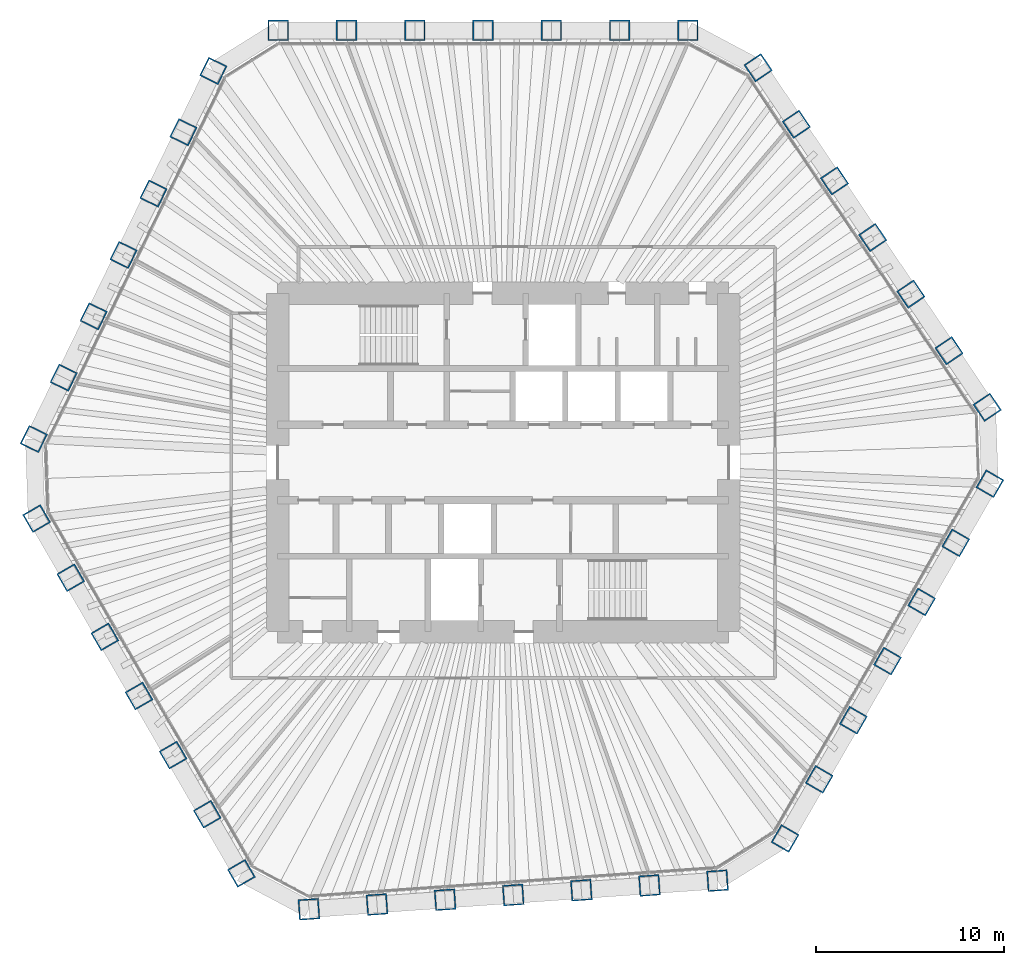
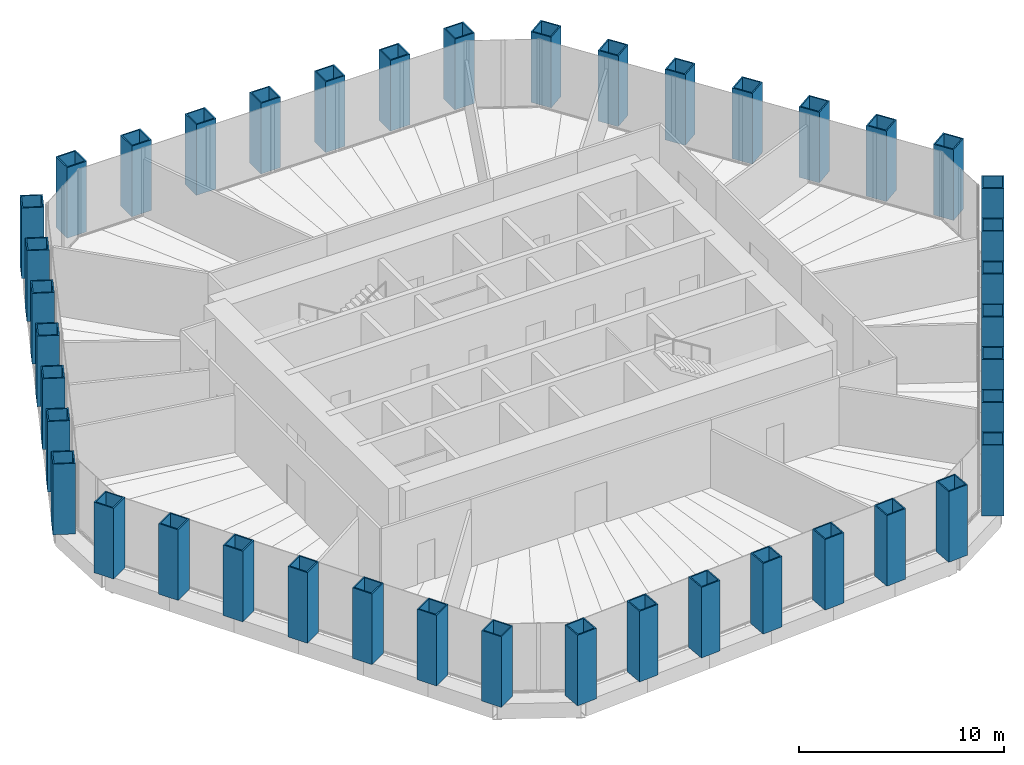
# One storey, part 1 of 13: 42 columns.
"""IFC4 building model written with IfcOpenShell, lengths in metres."""

from ifc_helpers import new_model, si_unit, direction, frame, origin, origin_2d, place, context, subcontext, project, spatial, hollow_rectangle, extrude, material, material_profile, profile_set, type_object, element, save


model = new_model("IFC4")

# Units and contexts
model_context = context("Model", 3, precision=1e-05, world=origin(), true_north=direction((0.0, 1.0)))
body_context = subcontext(model_context, "Body", "Model", "MODEL_VIEW")
ifc_project = project(units=[si_unit("LENGTHUNIT", "METRE"), si_unit("AREAUNIT", "SQUARE_METRE"), si_unit("VOLUMEUNIT", "CUBIC_METRE"), si_unit("PLANEANGLEUNIT", "RADIAN"), si_unit("MASSUNIT", "GRAM", prefix="KILO")], contexts=[model_context])

# Site, building, storey
site_placement = place(None, origin())
site = spatial("IfcSite", under=ifc_project, at=site_placement, CompositionType="ELEMENT")
building_placement = place(site_placement, origin())
building = spatial("IfcBuilding", under=site, at=building_placement, Name="Qingtian Harvest Tower", CompositionType="ELEMENT")
storey_placement = place(building_placement, frame((0.0, 0.0, 193.0)))
storey = spatial("IfcBuildingStorey", under=building, at=storey_placement, Name="L41", CompositionType="ELEMENT", Elevation=193.0)

# Columns
ifc_material = material(Name="Steel SM570MC", Category="steel")
ifc_material_profile = material_profile(ifc_material, hollow_rectangle(XDim=1.10009765625, YDim=1.10009765625, WallThickness=0.070068359375, at=origin_2d()), Name="BOX1100x1100x70")
ifc_profile_set = profile_set([ifc_material_profile], Name="Steel SM570MC")
column_type = type_object("IfcColumnType", Name="Tube column TC5 BOX1100x1100x70", PredefinedType="COLUMN", material=ifc_profile_set)
for number, where, z_axis, x_axis, name in (
    (1, (-11.971923828125, 23.0, 0.0), (0.0, 0.0, 1.0), (-1.0, 0.0, 0.0), "Tube column TC5 N0"),
    (2, (-8.33837890625, 23.0, 0.0), (0.0, 0.0, 1.0), (-1.0, 0.0, 0.0), "Tube column TC5 N1"),
    (3, (-4.704833984375, 23.0, 0.0), (0.0, 0.0, 1.0), (-1.0, 0.0, 0.0), "Tube column TC5 N2"),
    (4, (-1.0712890625, 23.0, 0.0), (0.0, 0.0, 1.0), (-1.0, 0.0, 0.0), "Tube column TC5 N3"),
    (5, (2.562255859375, 23.0, 0.0), (0.0, 0.0, 1.0), (-1.0, 0.0, 0.0), "Tube column TC5 N4"),
    (6, (6.19580078125, 23.0, 0.0), (0.0, 0.0, 1.0), (-1.0, 0.0, 0.0), "Tube column TC5 N5"),
    (7, (9.829345703125, 23.0, 0.0), (0.0, 0.0, 1.0), (-1.0, 0.0, 0.0), "Tube column TC5 N6"),
    (8, (13.5712890625, 21.01025390625, 0.0), (0.0, 0.0, 1.0), (-0.559192903471, 0.829037572555, 0.0), "Tube column TC5 NE0"),
    (9, (15.603271484375, 17.998046875, 0.0), (0.0, 0.0, 1.0), (-0.559192903471, 0.829037572555, 0.0), "Tube column TC5 NE1"),
    (10, (17.635009765625, 14.985595703125, 0.0), (0.0, 0.0, 1.0), (-0.559192903471, 0.829037572555, 0.0), "Tube column TC5 NE2"),
    (11, (19.6669921875, 11.97314453125, 0.0), (0.0, 0.0, 1.0), (-0.559192903471, 0.829037572555, 0.0), "Tube column TC5 NE3"),
    (12, (21.69873046875, 8.9609375, 0.0), (0.0, 0.0, 1.0), (-0.559192903471, 0.829037572555, 0.0), "Tube column TC5 NE4"),
    (13, (23.730712890625, 5.948486328125, 0.0), (0.0, 0.0, 1.0), (-0.559192903471, 0.829037572555, 0.0), "Tube column TC5 NE5"),
    (14, (25.762451171875, 2.936279296875, 0.0), (0.0, 0.0, 1.0), (-0.559192903471, 0.829037572555, 0.0), "Tube column TC5 NE6"),
    (15, (25.904541015625, -1.1318359375, 0.0), (0.0, 0.0, 1.0), (0.5, 0.866025403784, 0.0), "Tube column TC5 SE0"),
    (16, (24.087890625, -4.27880859375, 0.0), (0.0, 0.0, 1.0), (0.5, 0.866025403784, 0.0), "Tube column TC5 SE1"),
    (17, (22.27099609375, -7.425537109375, 0.0), (0.0, 0.0, 1.0), (0.5, 0.866025403784, 0.0), "Tube column TC5 SE2"),
    (18, (20.454345703125, -10.572265625, 0.0), (0.0, 0.0, 1.0), (0.5, 0.866025403784, 0.0), "Tube column TC5 SE3"),
    (19, (18.637451171875, -13.718994140625, 0.0), (0.0, 0.0, 1.0), (0.5, 0.866025403784, 0.0), "Tube column TC5 SE4"),
    (20, (16.82080078125, -16.86572265625, 0.0), (0.0, 0.0, 1.0), (0.5, 0.866025403784, 0.0), "Tube column TC5 SE5"),
    (21, (15.00390625, -20.012451171875, 0.0), (0.0, 0.0, 1.0), (0.5, 0.866025403784, 0.0), "Tube column TC5 SE6"),
    (22, (11.40966796875, -22.25830078125, 0.0), (0.0, 0.0, 1.0), (0.99756405026, 0.069756473744, 0.0), "Tube column TC5 S0"),
    (23, (7.78515625, -22.51171875, 0.0), (0.0, 0.0, 1.0), (0.99756405026, 0.069756473744, 0.0), "Tube column TC5 S1"),
    (24, (4.160400390625, -22.76513671875, 0.0), (0.0, 0.0, 1.0), (0.99756405026, 0.069756473744, 0.0), "Tube column TC5 S2"),
    (25, (0.53564453125, -23.018798828125, 0.0), (0.0, 0.0, 1.0), (0.99756405026, 0.069756473744, 0.0), "Tube column TC5 S3"),
    (26, (-3.089111328125, -23.272216796875, 0.0), (0.0, 0.0, 1.0), (0.99756405026, 0.069756473744, 0.0), "Tube column TC5 S4"),
    (27, (-6.713623046875, -23.525634765625, 0.0), (0.0, 0.0, 1.0), (0.99756405026, 0.069756473744, 0.0), "Tube column TC5 S5"),
    (28, (-10.33837890625, -23.779052734375, 0.0), (0.0, 0.0, 1.0), (0.99756405026, 0.069756473744, 0.0), "Tube column TC5 S6"),
    (29, (-13.9326171875, -21.8681640625, 0.0), (0.0, 0.0, 1.0), (0.5, -0.866025403784, 0.0), "Tube column TC5 SW0"),
    (30, (-15.749267578125, -18.72119140625, 0.0), (0.0, 0.0, 1.0), (0.5, -0.866025403784, 0.0), "Tube column TC5 SW1"),
    (31, (-17.566162109375, -15.574462890625, 0.0), (0.0, 0.0, 1.0), (0.5, -0.866025403784, 0.0), "Tube column TC5 SW2"),
    (32, (-19.3828125, -12.427734375, 0.0), (0.0, 0.0, 1.0), (0.5, -0.866025403784, 0.0), "Tube column TC5 SW3"),
    (33, (-21.19970703125, -9.281005859375, 0.0), (0.0, 0.0, 1.0), (0.5, -0.866025403784, 0.0), "Tube column TC5 SW4"),
    (34, (-23.016357421875, -6.13427734375, 0.0), (0.0, 0.0, 1.0), (0.5, -0.866025403784, 0.0), "Tube column TC5 SW5"),
    (35, (-24.833251953125, -2.987548828125, 0.0), (0.0, 0.0, 1.0), (0.5, -0.866025403784, 0.0), "Tube column TC5 SW6"),
    (36, (-24.981201171875, 1.248046875, 0.0), (0.0, 0.0, 1.0), (-0.438371146789, -0.898794046299, 0.0), "Tube column TC5 NW0"),
    (37, (-23.388427734375, 4.513916015625, 0.0), (0.0, 0.0, 1.0), (-0.438371146789, -0.898794046299, 0.0), "Tube column TC5 NW1"),
    (38, (-21.79541015625, 7.779541015625, 0.0), (0.0, 0.0, 1.0), (-0.438371146789, -0.898794046299, 0.0), "Tube column TC5 NW2"),
    (39, (-20.20263671875, 11.04541015625, 0.0), (0.0, 0.0, 1.0), (-0.438371146789, -0.898794046299, 0.0), "Tube column TC5 NW3"),
    (40, (-18.60986328125, 14.311279296875, 0.0), (0.0, 0.0, 1.0), (-0.438371146789, -0.898794046299, 0.0), "Tube column TC5 NW4"),
    (41, (-17.016845703125, 17.5771484375, 0.0), (0.0, 0.0, 1.0), (-0.438371146789, -0.898794046299, 0.0), "Tube column TC5 NW5"),
    (42, (-15.424072265625, 20.8427734375, 0.0), (0.0, 0.0, 1.0), (-0.438371146789, -0.898794046299, 0.0), "Tube column TC5 NW6"),
):
    element("IfcColumn", number, at=place(storey_placement, frame(where, z_axis=z_axis, x_axis=x_axis)), inside=storey, type_object=column_type, Name=name, PredefinedType="COLUMN", context=body_context, shape_type="SweptSolid", body=[
        extrude(hollow_rectangle(XDim=1.10009765625, YDim=1.10009765625, WallThickness=0.070068359375, at=origin_2d()), origin(), (0.0, 0.0, 1.0), 4.199951171875),
    ])

save(model, "model.ifc")
